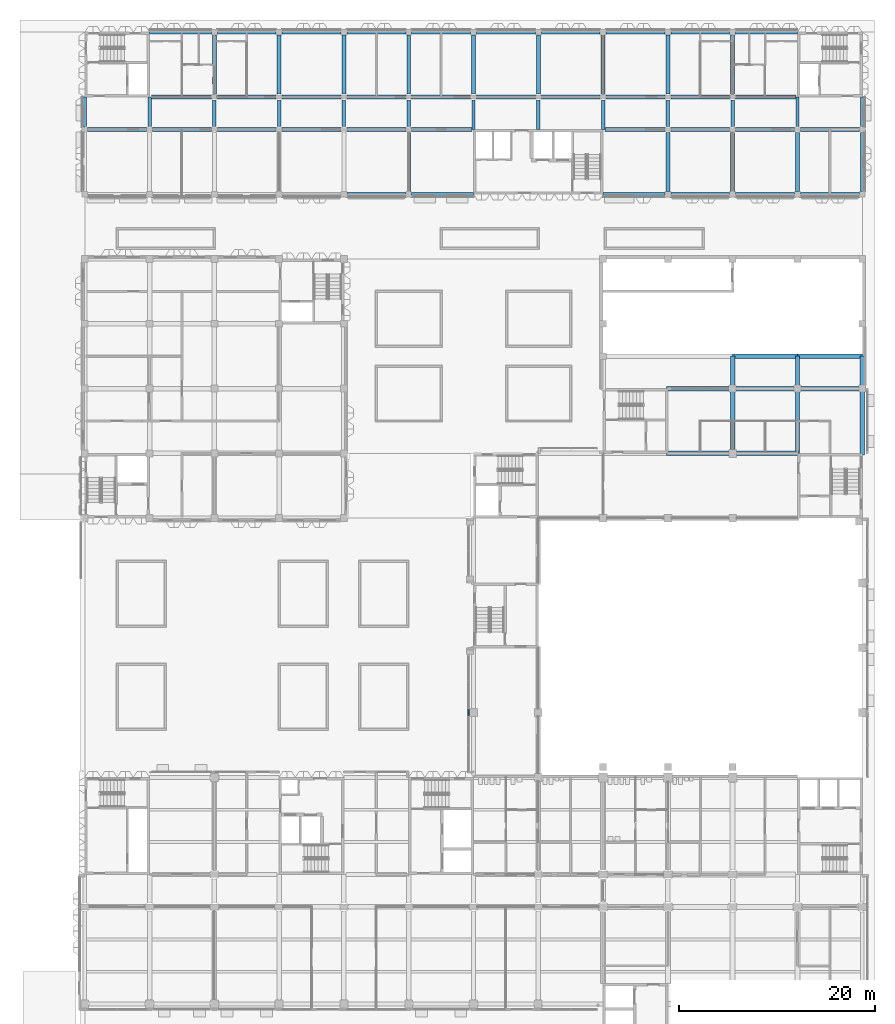
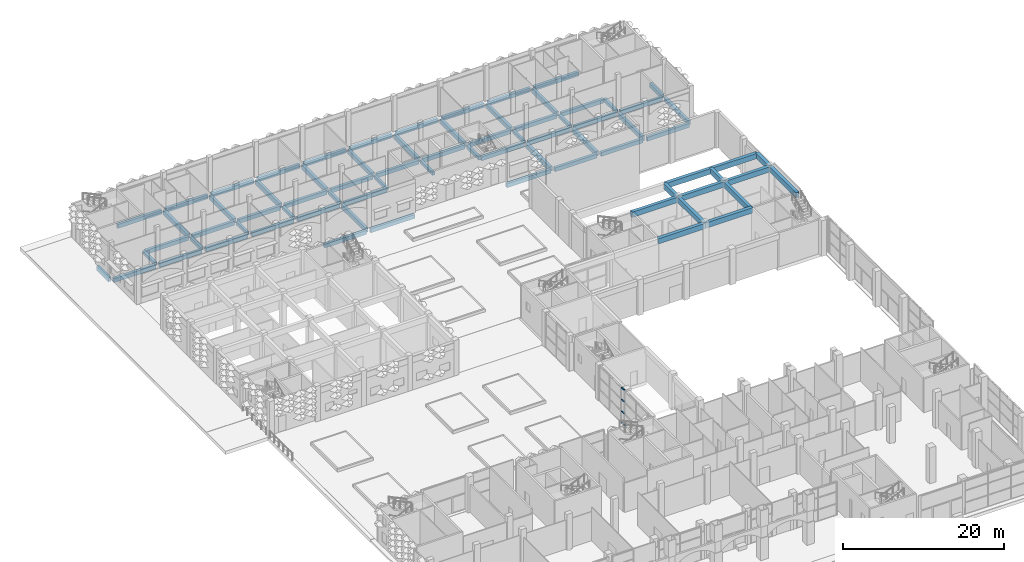
# One storey, part 15 of 85: 76 beams, 4 members, 1 element without a shape of its own.
"""IFC4 building model written with IfcOpenShell, lengths in metres."""

import ifcopenshell
import ifcopenshell.guid

model = None  # the IFC model being written
_history = None  # IfcOwnerHistory: only IFC2X3 demands one
_inside = {}  # id of a spatial element -> (the spatial element, [elements in it])
_under = {}  # id of a project, library or spatial element -> (it, [spatial elements below it])
_declared = {}  # id of a project -> (the project, [libraries it declares])
_typed = {}  # id of a type object -> (the type object, [elements of that type])
_made_of = {}  # id of a material, layer set ... -> (it, [elements and type objects made of it])


def new_model(schema):
    """Start an empty IFC model of exactly this schema.

    Asked for "IFC4X3", IfcOpenShell would pick the latest addendum, in which some entities
    have other attributes; the version numbers below select the first issue.
    IFC2X3 requires an IfcOwnerHistory on every rooted entity: one is made here for all.
    """
    global model, _history
    if schema == "IFC4X3":
        model = ifcopenshell.file(schema_version=(4, 3, 0, 0))
    else:
        model = ifcopenshell.file(schema=schema)
    _inside.clear()
    _under.clear()
    _declared.clear()
    _typed.clear()
    _made_of.clear()
    _history = None
    if model.schema == "IFC2X3":
        org = make("IfcOrganization", Name="unknown")
        user = make(
            "IfcPersonAndOrganization",
            ThePerson=make("IfcPerson", FamilyName="unknown"),
            TheOrganization=org,
        )
        app = make(
            "IfcApplication",
            ApplicationDeveloper=org,
            Version="unknown",
            ApplicationFullName="unknown",
            ApplicationIdentifier="unknown",
        )
        _history = make(
            "IfcOwnerHistory",
            OwningUser=user,
            OwningApplication=app,
            ChangeAction="ADDED",
            CreationDate=0,
        )
    return model


def make(cls, **values):
    """One entity of the class cls with the attributes given. An attribute that is None is left unset."""
    return model.create_entity(
        cls, **{name: value for name, value in values.items() if value is not None}
    )


def rooted(cls, **values):
    """An entity with a GlobalId (a new one), such as an element, a storey or a relation."""
    return make(cls, GlobalId=ifcopenshell.guid.new(), OwnerHistory=_history, **values)


def si_unit(unit_type, name, prefix=None):
    """IfcSIUnit, for example si_unit("LENGTHUNIT", "METRE", prefix="MILLI")."""
    return make("IfcSIUnit", UnitType=unit_type, Prefix=prefix, Name=name)


def assignment(units):
    """IfcUnitAssignment: the units of a project."""
    return None if units is None else make("IfcUnitAssignment", Units=units)


def point(xyz):
    """IfcCartesianPoint."""
    return None if xyz is None else make("IfcCartesianPoint", Coordinates=xyz)


def direction(xyz):
    """IfcDirection."""
    return None if xyz is None else make("IfcDirection", DirectionRatios=xyz)


def frame(location, z_axis=None, x_axis=None):
    """IfcAxis2Placement3D, a coordinate frame: its origin and axes. An axis left out is left unset."""
    return make(
        "IfcAxis2Placement3D",
        Location=point(location),
        Axis=direction(z_axis),
        RefDirection=direction(x_axis),
    )


def frame_2d(location, x_axis=None):
    """IfcAxis2Placement2D, a coordinate frame in the plane: its origin and x axis."""
    return make(
        "IfcAxis2Placement2D", Location=point(location), RefDirection=direction(x_axis)
    )


def origin():
    """The frame at (0, 0, 0) with its axes left unset."""
    return frame((0.0, 0.0, 0.0))


def origin_2d():
    """The frame at (0, 0) in the plane with its x axis left unset."""
    return frame_2d((0.0, 0.0))


def place(relative_to, where):
    """IfcLocalPlacement: puts the frame where relative to a parent placement (None: the world)."""
    return make(
        "IfcLocalPlacement", PlacementRelTo=relative_to, RelativePlacement=where
    )


def context(
    kind, dimensions, precision=None, world=None, true_north=None, identifier=None
):
    """IfcGeometricRepresentationContext, for example the 3D "Model" context."""
    return make(
        "IfcGeometricRepresentationContext",
        ContextIdentifier=identifier,
        ContextType=kind,
        CoordinateSpaceDimension=dimensions,
        Precision=precision,
        WorldCoordinateSystem=world,
        TrueNorth=true_north,
    )


def subcontext(parent, identifier, kind, view, scale=None):
    """IfcGeometricRepresentationSubContext, for example "Body" below "Model"."""
    return make(
        "IfcGeometricRepresentationSubContext",
        ContextIdentifier=identifier,
        ContextType=kind,
        ParentContext=parent,
        TargetScale=scale,
        TargetView=view,
    )


def project(units=None, contexts=None):
    """IfcProject with its units and contexts."""
    return rooted(
        "IfcProject",
        Name="project",
        RepresentationContexts=contexts,
        UnitsInContext=assignment(units),
    )


def spatial(cls, under=None, at=None, **own):
    """A site, building, storey or space (cls), placed at a placement, below another one or the project."""
    s = rooted(cls, ObjectPlacement=at, **own)
    if under is not None:
        _under.setdefault(under.id(), (under, []))[1].append(s)
    return s


def profile(cls, at=None, kind="AREA", **sizes):
    """A parametric profile (cls). Its sizes go by their IFC names, for example OverallWidth=200.0."""
    return make(cls, ProfileType=kind, Position=at, **sizes)


def rectangle(**sizes):
    """IfcRectangleProfileDef."""
    return profile("IfcRectangleProfileDef", **sizes)


def extrude(swept, where, along, depth):
    """IfcExtrudedAreaSolid: the profile swept, set in the frame where, extruded along a direction by depth."""
    return make(
        "IfcExtrudedAreaSolid",
        SweptArea=swept,
        Position=where,
        ExtrudedDirection=direction(along),
        Depth=depth,
    )


def shape(context_of_items, identifier, shape_type, items):
    """IfcShapeRepresentation: the items that make up one representation, for example the "Body"."""
    return make(
        "IfcShapeRepresentation",
        ContextOfItems=context_of_items,
        RepresentationIdentifier=identifier,
        RepresentationType=shape_type,
        Items=items,
    )


def material(Name=None, Category=None):
    """IfcMaterial."""
    return make("IfcMaterial", Name=Name, Category=Category)


def material_profile(
    of_material, cross_section, Name=None, Category=None, Priority=None
):
    """IfcMaterialProfile: a cross section and its material."""
    return make(
        "IfcMaterialProfile",
        Name=Name,
        Material=of_material,
        Profile=cross_section,
        Priority=Priority,
        Category=Category,
    )


def profile_set(profiles, Name=None, composite=None):
    """IfcMaterialProfileSet."""
    return make(
        "IfcMaterialProfileSet",
        Name=Name,
        MaterialProfiles=profiles,
        CompositeProfile=composite,
    )


def made_of(thing, what):
    """Note that an element or type object is made of a material, layer set ...; save() writes the relation."""
    if what is not None:
        _made_of.setdefault(what.id(), (what, []))[1].append(thing)
    return thing


def type_object(cls, material=None, **own):
    """A type object (cls), such as IfcWallType, which elements share."""
    return made_of(rooted(cls, **own), material)


def element(
    cls,
    number,
    at=None,
    inside=None,
    cuts=None,
    type_object=None,
    material=None,
    context=None,
    identifier="Body",
    shape_type=None,
    held_by="IfcProductDefinitionShape",
    body=None,
    shapes=None,
    **own,
):
    """One element of the class cls, such as IfcWall. Its Tag is "e" and its number.

    at: its placement. inside: the storey or other place that contains it. cuts: it is an
    opening in that element (IfcRelVoidsElement). A single representation is given by context,
    identifier, shape_type and body (its items); several are given by shapes. held_by: the class
    of the entity that holds the representations. save() writes the other relations.
    """
    e = rooted(cls, Tag="e%d" % number, ObjectPlacement=at, **own)
    if body is not None:
        shapes = [shape(context, identifier, shape_type, body)]
    if shapes is not None:
        e.Representation = make(held_by, Representations=shapes)
    if inside is not None:
        _inside.setdefault(inside.id(), (inside, []))[1].append(e)
    if cuts is not None:
        rooted(
            "IfcRelVoidsElement", RelatingBuildingElement=cuts, RelatedOpeningElement=e
        )
    if type_object is not None:
        _typed.setdefault(type_object.id(), (type_object, []))[1].append(e)
    return made_of(e, material)


def aggregate(whole, parts):
    """IfcRelAggregates: a whole, such as a stair, and the parts it consists of."""
    return rooted("IfcRelAggregates", RelatingObject=whole, RelatedObjects=parts)


def save(model, path):
    """Write the relations noted so far, then the file.

    IfcRelAggregates (storeys below a building ...), IfcRelContainedInSpatialStructure (elements
    in a storey), IfcRelDefinesByType, IfcRelAssociatesMaterial and IfcRelDeclares: one each for
    every whole, place, type object, material and project.
    """
    for whole, parts in _under.values():
        aggregate(whole, parts)
    for where, things in _inside.values():
        rooted(
            "IfcRelContainedInSpatialStructure",
            RelatedElements=things,
            RelatingStructure=where,
        )
    for kind, things in _typed.values():
        rooted("IfcRelDefinesByType", RelatedObjects=things, RelatingType=kind)
    for what, things in _made_of.values():
        rooted("IfcRelAssociatesMaterial", RelatedObjects=things, RelatingMaterial=what)
    for by, libraries in _declared.values():
        rooted("IfcRelDeclares", RelatingContext=by, RelatedDefinitions=libraries)
    model.write(path)


model = new_model("IFC4")

# Units and contexts
model_context = context("Model", 3, precision=1e-05, world=origin(), true_north=direction((0.0, 1.0)))
body_context = subcontext(model_context, "Body", "Model", "MODEL_VIEW")
ifc_project = project(units=[si_unit("LENGTHUNIT", "METRE"), si_unit("AREAUNIT", "SQUARE_METRE"), si_unit("VOLUMEUNIT", "CUBIC_METRE"), si_unit("PLANEANGLEUNIT", "RADIAN"), si_unit("MASSUNIT", "GRAM", prefix="KILO")], contexts=[model_context])

# Site, building, storey
site_placement = place(None, origin())
site = spatial("IfcSite", under=ifc_project, at=site_placement, CompositionType="ELEMENT")
building_placement = place(site_placement, origin())
building = spatial("IfcBuilding", under=site, at=building_placement, Name="Lantern Court Research Institute", CompositionType="ELEMENT")
storey_placement = place(building_placement, origin())
storey = spatial("IfcBuildingStorey", under=building, at=storey_placement, Name="L00", CompositionType="ELEMENT", Elevation=0.0)

# Beams
ifc_material_1 = material(Name="Concrete C40/50", Category="concrete")
ifc_material_profile_1 = material_profile(ifc_material_1, rectangle(XDim=0.449951171875, YDim=0.800048828125, at=origin_2d()), Name="Hall beam 450 x 800")
ifc_profile_set_1 = profile_set([ifc_material_profile_1], Name="Concrete C40/50")
beam_type_1 = type_object("IfcBeamType", Name="Hall beam 450 x 800", PredefinedType="BEAM", material=ifc_profile_set_1)
for number, where, z_axis, x_axis, name in (
    (1, (59.25, 56.10009765625, 4.75), (1.0, 0.0, 0.0), (0.0, 1.0, 0.0), "Gallery beam L01"),
    (2, (66.0, 56.10009765625, 4.75), (1.0, 0.0, 0.0), (0.0, 1.0, 0.0), "Gallery beam L01"),
):
    element("IfcBeam", number, at=place(storey_placement, frame(where, z_axis=z_axis, x_axis=x_axis)), inside=storey, type_object=beam_type_1, Name=name, PredefinedType="BEAM", context=body_context, shape_type="SweptSolid", body=[
        extrude(rectangle(XDim=0.449951171875, YDim=0.800048828125, at=origin_2d()), origin(), (0.0, 0.0, 1.0), 6.75),
    ])
beam_1_placement = place(storey_placement, frame((66.0, 56.10009765625, 4.75), z_axis=(0.0, 1.0, 0.0), x_axis=(-1.0, 0.0, 0.0)))
element("IfcBeam", 3, at=beam_1_placement, inside=storey, type_object=beam_type_1, Name="Floor beam L01", PredefinedType="BEAM", context=body_context, shape_type="SweptSolid", body=[
    extrude(rectangle(XDim=0.449951171875, YDim=0.800048828125, at=origin_2d()), origin(), (0.0, 0.0, 1.0), 6.599853515625),
])
beam_2_placement = place(storey_placement, frame((66.0, 62.699951171875, 4.75), z_axis=(0.0, 1.0, 0.0), x_axis=(-1.0, 0.0, 0.0)))
element("IfcBeam", 4, at=beam_2_placement, inside=storey, type_object=beam_type_1, Name="Cantilever beam L01", PredefinedType="BEAM", context=body_context, shape_type="SweptSolid", body=[
    extrude(rectangle(XDim=0.449951171875, YDim=0.800048828125, at=origin_2d()), origin(), (0.0, 0.0, 1.0), 3.300048828125),
])
beam_3_placement = place(storey_placement, frame((72.60009765625, 55.949951171875, 4.75), z_axis=(0.0, 1.0, 0.0), x_axis=(-1.0, 0.0, 0.0)))
element("IfcBeam", 5, at=beam_3_placement, inside=storey, type_object=beam_type_1, Name="Floor beam L01", PredefinedType="BEAM", context=body_context, shape_type="SweptSolid", body=[
    extrude(rectangle(XDim=0.449951171875, YDim=0.800048828125, at=origin_2d()), origin(), (0.0, 0.0, 1.0), 6.75),
])
beam_4_placement = place(storey_placement, frame((72.60009765625, 62.699951171875, 4.75), z_axis=(0.0, 1.0, 0.0), x_axis=(-1.0, 0.0, 0.0)))
element("IfcBeam", 6, at=beam_4_placement, inside=storey, type_object=beam_type_1, Name="Cantilever beam L01", PredefinedType="BEAM", context=body_context, shape_type="SweptSolid", body=[
    extrude(rectangle(XDim=0.449951171875, YDim=0.800048828125, at=origin_2d()), origin(), (0.0, 0.0, 1.0), 3.300048828125),
])
beam_5_placement = place(storey_placement, frame((79.199951171875, 55.949951171875, 4.75), z_axis=(0.0, 1.0, 0.0), x_axis=(-1.0, 0.0, 0.0)))
element("IfcBeam", 7, at=beam_5_placement, inside=storey, type_object=beam_type_1, Name="Floor beam L01", PredefinedType="BEAM", context=body_context, shape_type="SweptSolid", body=[
    extrude(rectangle(XDim=0.449951171875, YDim=0.800048828125, at=origin_2d()), origin(), (0.0, 0.0, 1.0), 6.75),
])
beam_6_placement = place(storey_placement, frame((79.199951171875, 62.699951171875, 4.75), z_axis=(0.0, 1.0, 0.0), x_axis=(-1.0, 0.0, 0.0)))
element("IfcBeam", 8, at=beam_6_placement, inside=storey, type_object=beam_type_1, Name="Cantilever beam L01", PredefinedType="BEAM", context=body_context, shape_type="SweptSolid", body=[
    extrude(rectangle(XDim=0.449951171875, YDim=0.800048828125, at=origin_2d()), origin(), (0.0, 0.0, 1.0), 3.300048828125),
])
beam_7_placement = place(storey_placement, frame((59.25, 62.699951171875, 4.75), z_axis=(1.0, 0.0, 0.0), x_axis=(0.0, 1.0, 0.0)))
element("IfcBeam", 9, at=beam_7_placement, inside=storey, type_object=beam_type_1, Name="Floor beam L01", PredefinedType="BEAM", context=body_context, shape_type="SweptSolid", body=[
    extrude(rectangle(XDim=0.449951171875, YDim=0.800048828125, at=origin_2d()), origin(), (0.0, 0.0, 1.0), 6.75),
])
beam_8_placement = place(storey_placement, frame((66.0, 62.699951171875, 4.75), z_axis=(1.0, 0.0, 0.0), x_axis=(0.0, 1.0, 0.0)))
element("IfcBeam", 10, at=beam_8_placement, inside=storey, type_object=beam_type_1, Name="Floor beam L01", PredefinedType="BEAM", context=body_context, shape_type="SweptSolid", body=[
    extrude(rectangle(XDim=0.449951171875, YDim=0.800048828125, at=origin_2d()), origin(), (0.0, 0.0, 1.0), 6.60009765625),
])
beam_9_placement = place(storey_placement, frame((72.60009765625, 62.699951171875, 4.75), z_axis=(1.0, 0.0, 0.0), x_axis=(0.0, 1.0, 0.0)))
element("IfcBeam", 11, at=beam_9_placement, inside=storey, type_object=beam_type_1, Name="Floor beam L01", PredefinedType="BEAM", context=body_context, shape_type="SweptSolid", body=[
    extrude(rectangle(XDim=0.449951171875, YDim=0.800048828125, at=origin_2d()), origin(), (0.0, 0.0, 1.0), 6.599853515625),
])
beam_10_placement = place(storey_placement, frame((66.0, 66.0, 4.75), z_axis=(1.0, 0.0, 0.0), x_axis=(0.0, 1.0, 0.0)))
element("IfcBeam", 12, at=beam_10_placement, inside=storey, type_object=beam_type_1, Name="Edge beam L01", PredefinedType="BEAM", context=body_context, shape_type="SweptSolid", body=[
    extrude(rectangle(XDim=0.449951171875, YDim=0.800048828125, at=origin_2d()), origin(), (0.0, 0.0, 1.0), 6.60009765625),
])
beam_11_placement = place(storey_placement, frame((72.60009765625, 66.0, 4.75), z_axis=(1.0, 0.0, 0.0), x_axis=(0.0, 1.0, 0.0)))
element("IfcBeam", 13, at=beam_11_placement, inside=storey, type_object=beam_type_1, Name="Edge beam L01", PredefinedType="BEAM", context=body_context, shape_type="SweptSolid", body=[
    extrude(rectangle(XDim=0.449951171875, YDim=0.800048828125, at=origin_2d()), origin(), (0.0, 0.0, 1.0), 6.599853515625),
])
ifc_material_2 = material(Name="Concrete C40/50", Category="concrete")
ifc_material_profile_2 = material_profile(ifc_material_2, rectangle(XDim=0.39990234375, YDim=0.60009765625, at=origin_2d()), Name="RC beam 400 x 600")
ifc_profile_set_2 = profile_set([ifc_material_profile_2], Name="Concrete C40/50")
beam_type_2 = type_object("IfcBeamType", Name="RC beam 400 x 600", PredefinedType="BEAM", material=ifc_profile_set_2)
for number, where, z_axis, x_axis, name in (
    (14, (0.300048828125, 89.10009765625, -0.60009765625), (1.0, 0.0, 0.0), (0.0, 1.0, 0.0), "Beam L00 grid K/1-2"),
    (15, (6.89990234375, 89.10009765625, -0.60009765625), (1.0, 0.0, 0.0), (0.0, 1.0, 0.0), "Beam L00 grid K/2-3"),
    (16, (13.5, 89.10009765625, -0.60009765625), (1.0, 0.0, 0.0), (0.0, 1.0, 0.0), "Beam L00 grid K/3-4"),
    (17, (20.10009765625, 89.10009765625, -0.60009765625), (1.0, 0.0, 0.0), (0.0, 1.0, 0.0), "Beam L00 grid K/4-5"),
    (18, (26.699951171875, 89.10009765625, -0.60009765625), (1.0, 0.0, 0.0), (0.0, 1.0, 0.0), "Beam L00 grid K/5-6"),
):
    element("IfcBeam", number, at=place(storey_placement, frame(where, z_axis=z_axis, x_axis=x_axis)), inside=storey, type_object=beam_type_2, Name=name, PredefinedType="BEAM", context=body_context, shape_type="SweptSolid", body=[
        extrude(rectangle(XDim=0.39990234375, YDim=0.60009765625, at=origin_2d()), origin(), (0.0, 0.0, 1.0), 6.0),
    ])
for number, where, z_axis, x_axis, name in (
    (19, (33.300048828125, 89.10009765625, -0.60009765625), (1.0, 0.0, 0.0), (0.0, 1.0, 0.0), "Beam L00 grid K/6-7"),
    (20, (52.97509765625, 89.10009765625, -0.60009765625), (1.0, 0.0, 0.0), (0.0, 1.0, 0.0), "Beam L00 grid K/9-10"),
):
    element("IfcBeam", number, at=place(storey_placement, frame(where, z_axis=z_axis, x_axis=x_axis)), inside=storey, type_object=beam_type_2, Name=name, PredefinedType="BEAM", context=body_context, shape_type="SweptSolid", body=[
        extrude(rectangle(XDim=0.39990234375, YDim=0.60009765625, at=origin_2d()), origin(), (0.0, 0.0, 1.0), 6.125),
    ])
for number, where, z_axis, x_axis, name in (
    (21, (59.699951171875, 89.10009765625, -0.60009765625), (1.0, 0.0, 0.0), (0.0, 1.0, 0.0), "Beam L00 grid K/10-11"),
    (22, (66.300048828125, 89.10009765625, -0.60009765625), (1.0, 0.0, 0.0), (0.0, 1.0, 0.0), "Beam L00 grid K/11-12"),
    (23, (72.89990234375, 89.10009765625, -0.60009765625), (1.0, 0.0, 0.0), (0.0, 1.0, 0.0), "Beam L00 grid K/12-13"),
):
    element("IfcBeam", number, at=place(storey_placement, frame(where, z_axis=z_axis, x_axis=x_axis)), inside=storey, type_object=beam_type_2, Name=name, PredefinedType="BEAM", context=body_context, shape_type="SweptSolid", body=[
        extrude(rectangle(XDim=0.39990234375, YDim=0.60009765625, at=origin_2d()), origin(), (0.0, 0.0, 1.0), 6.0),
    ])
beam_12_placement = place(storey_placement, frame((6.77490234375, 92.39990234375, -0.60009765625), z_axis=(1.0, 0.0, 0.0), x_axis=(0.0, 1.0, 0.0)))
element("IfcBeam", 24, at=beam_12_placement, inside=storey, type_object=beam_type_2, Name="Beam L00 grid L/2-3", PredefinedType="BEAM", context=body_context, shape_type="SweptSolid", body=[
    extrude(rectangle(XDim=0.39990234375, YDim=0.60009765625, at=origin_2d()), origin(), (0.0, 0.0, 1.0), 6.125),
])
for number, where, z_axis, x_axis, name in (
    (25, (13.5, 92.39990234375, -0.60009765625), (1.0, 0.0, 0.0), (0.0, 1.0, 0.0), "Beam L00 grid L/3-4"),
    (26, (20.10009765625, 92.39990234375, -0.60009765625), (1.0, 0.0, 0.0), (0.0, 1.0, 0.0), "Beam L00 grid L/4-5"),
    (27, (26.699951171875, 92.39990234375, -0.60009765625), (1.0, 0.0, 0.0), (0.0, 1.0, 0.0), "Beam L00 grid L/5-6"),
    (28, (33.300048828125, 92.39990234375, -0.60009765625), (1.0, 0.0, 0.0), (0.0, 1.0, 0.0), "Beam L00 grid L/6-7"),
    (29, (39.89990234375, 92.39990234375, -0.60009765625), (1.0, 0.0, 0.0), (0.0, 1.0, 0.0), "Beam L00 grid L/7-8"),
    (30, (46.5, 92.39990234375, -0.60009765625), (1.0, 0.0, 0.0), (0.0, 1.0, 0.0), "Beam L00 grid L/8-9"),
    (31, (53.10009765625, 92.39990234375, -0.60009765625), (1.0, 0.0, 0.0), (0.0, 1.0, 0.0), "Beam L00 grid L/9-10"),
    (32, (59.699951171875, 92.39990234375, -0.60009765625), (1.0, 0.0, 0.0), (0.0, 1.0, 0.0), "Beam L00 grid L/10-11"),
):
    element("IfcBeam", number, at=place(storey_placement, frame(where, z_axis=z_axis, x_axis=x_axis)), inside=storey, type_object=beam_type_2, Name=name, PredefinedType="BEAM", context=body_context, shape_type="SweptSolid", body=[
        extrude(rectangle(XDim=0.39990234375, YDim=0.60009765625, at=origin_2d()), origin(), (0.0, 0.0, 1.0), 6.0),
    ])
beam_13_placement = place(storey_placement, frame((66.300048828125, 92.39990234375, -0.60009765625), z_axis=(1.0, 0.0, 0.0), x_axis=(0.0, 1.0, 0.0)))
element("IfcBeam", 33, at=beam_13_placement, inside=storey, type_object=beam_type_2, Name="Beam L00 grid L/11-12", PredefinedType="BEAM", context=body_context, shape_type="SweptSolid", body=[
    extrude(rectangle(XDim=0.39990234375, YDim=0.60009765625, at=origin_2d()), origin(), (0.0, 0.0, 1.0), 6.125),
])
ifc_material_3 = material(Name="Concrete C40/50", Category="concrete")
ifc_material_profile_3 = material_profile(ifc_material_3, rectangle(XDim=0.39990234375, YDim=0.699951171875, at=origin_2d()), Name="RC beam 400 x 700")
ifc_profile_set_3 = profile_set([ifc_material_profile_3], Name="Concrete C40/50")
beam_type_3 = type_object("IfcBeamType", Name="RC beam 400 x 700", PredefinedType="BEAM", material=ifc_profile_set_3)
for number, where, z_axis, x_axis, name in (
    (34, (13.199951171875, 92.699951171875, -0.64990234375), (0.0, 1.0, 0.0), (-1.0, 0.0, 0.0), "Beam L00 grid 3/L-M"),
    (35, (19.800048828125, 92.699951171875, -0.64990234375), (0.0, 1.0, 0.0), (-1.0, 0.0, 0.0), "Beam L00 grid 4/L-M"),
    (36, (26.39990234375, 92.699951171875, -0.64990234375), (0.0, 1.0, 0.0), (-1.0, 0.0, 0.0), "Beam L00 grid 5/L-M"),
    (37, (33.0, 82.800048828125, -0.64990234375), (0.0, 1.0, 0.0), (-1.0, 0.0, 0.0), "Beam L00 grid 6/J-K"),
    (38, (33.0, 92.699951171875, -0.64990234375), (0.0, 1.0, 0.0), (-1.0, 0.0, 0.0), "Beam L00 grid 6/L-M"),
    (39, (39.60009765625, 92.699951171875, -0.64990234375), (0.0, 1.0, 0.0), (-1.0, 0.0, 0.0), "Beam L00 grid 7/L-M"),
    (40, (46.199951171875, 92.699951171875, -0.64990234375), (0.0, 1.0, 0.0), (-1.0, 0.0, 0.0), "Beam L00 grid 8/L-M"),
    (41, (52.800048828125, 92.699951171875, -0.64990234375), (0.0, 1.0, 0.0), (-1.0, 0.0, 0.0), "Beam L00 grid 9/L-M"),
    (42, (59.39990234375, 82.800048828125, -0.64990234375), (0.0, 1.0, 0.0), (-1.0, 0.0, 0.0), "Beam L00 grid 10/J-K"),
    (43, (59.39990234375, 92.699951171875, -0.64990234375), (0.0, 1.0, 0.0), (-1.0, 0.0, 0.0), "Beam L00 grid 10/L-M"),
    (44, (66.0, 82.800048828125, -0.64990234375), (0.0, 1.0, 0.0), (-1.0, 0.0, 0.0), "Beam L00 grid 11/J-K"),
    (45, (66.0, 92.699951171875, -0.64990234375), (0.0, 1.0, 0.0), (-1.0, 0.0, 0.0), "Beam L00 grid 11/L-M"),
    (46, (72.60009765625, 82.800048828125, -0.64990234375), (0.0, 1.0, 0.0), (-1.0, 0.0, 0.0), "Beam L00 grid 12/J-K"),
):
    element("IfcBeam", number, at=place(storey_placement, frame(where, z_axis=z_axis, x_axis=x_axis)), inside=storey, type_object=beam_type_3, Name=name, PredefinedType="BEAM", context=body_context, shape_type="SweptSolid", body=[
        extrude(rectangle(XDim=0.39990234375, YDim=0.699951171875, at=origin_2d()), origin(), (0.0, 0.0, 1.0), 6.0),
    ])
ifc_material_4 = material(Name="Concrete C40/50", Category="concrete")
ifc_material_profile_4 = material_profile(ifc_material_4, rectangle(XDim=0.39990234375, YDim=0.60009765625, at=origin_2d()), Name="RC beam 400 x 600")
ifc_profile_set_4 = profile_set([ifc_material_profile_4], Name="Concrete C40/50")
beam_type_4 = type_object("IfcBeamType", Name="RC edge beam 400 x 600", PredefinedType="BEAM", material=ifc_profile_set_4)
beam_14_placement = place(storey_placement, frame((0.0, 89.39990234375, -0.60009765625), z_axis=(0.0, 1.0, 0.0), x_axis=(-1.0, 0.0, 0.0)))
element("IfcBeam", 47, at=beam_14_placement, inside=storey, type_object=beam_type_4, Name="Edge beam L00 grid 1/K-L", PredefinedType="BEAM", context=body_context, shape_type="SweptSolid", body=[
    extrude(rectangle(XDim=0.39990234375, YDim=0.60009765625, at=origin_2d()), origin(), (0.0, 0.0, 1.0), 3.0),
])
beam_15_placement = place(storey_placement, frame((79.199951171875, 82.800048828125, -0.60009765625), z_axis=(0.0, 1.0, 0.0), x_axis=(-1.0, 0.0, 0.0)))
element("IfcBeam", 48, at=beam_15_placement, inside=storey, type_object=beam_type_4, Name="Edge beam L00 grid 13/J-K", PredefinedType="BEAM", context=body_context, shape_type="SweptSolid", body=[
    extrude(rectangle(XDim=0.39990234375, YDim=0.60009765625, at=origin_2d()), origin(), (0.0, 0.0, 1.0), 6.0),
])
beam_16_placement = place(storey_placement, frame((79.199951171875, 89.39990234375, -0.60009765625), z_axis=(0.0, 1.0, 0.0), x_axis=(-1.0, 0.0, 0.0)))
element("IfcBeam", 49, at=beam_16_placement, inside=storey, type_object=beam_type_4, Name="Edge beam L00 grid 13/K-L", PredefinedType="BEAM", context=body_context, shape_type="SweptSolid", body=[
    extrude(rectangle(XDim=0.39990234375, YDim=0.60009765625, at=origin_2d()), origin(), (0.0, 0.0, 1.0), 3.0),
])
beam_17_placement = place(storey_placement, frame((26.699951171875, 82.5, -0.60009765625), z_axis=(1.0, 0.0, 0.0), x_axis=(0.0, 1.0, 0.0)))
element("IfcBeam", 50, at=beam_17_placement, inside=storey, type_object=beam_type_4, Name="Edge beam L00 grid J/5-6", PredefinedType="BEAM", context=body_context, shape_type="SweptSolid", body=[
    extrude(rectangle(XDim=0.39990234375, YDim=0.60009765625, at=origin_2d()), origin(), (0.0, 0.0, 1.0), 6.0),
])
for number, where, z_axis, x_axis, name in (
    (51, (33.300048828125, 82.5, -0.60009765625), (1.0, 0.0, 0.0), (0.0, 1.0, 0.0), "Edge beam L00 grid J/6-7"),
    (52, (52.800048828125, 82.5, -0.60009765625), (1.0, 0.0, 0.0), (0.0, 1.0, 0.0), "Edge beam L00 grid J/9-10"),
):
    element("IfcBeam", number, at=place(storey_placement, frame(where, z_axis=z_axis, x_axis=x_axis)), inside=storey, type_object=beam_type_4, Name=name, PredefinedType="BEAM", context=body_context, shape_type="SweptSolid", body=[
        extrude(rectangle(XDim=0.39990234375, YDim=0.60009765625, at=origin_2d()), origin(), (0.0, 0.0, 1.0), 6.300048828125),
    ])
for number, where, z_axis, x_axis, name in (
    (53, (59.699951171875, 82.5, -0.60009765625), (1.0, 0.0, 0.0), (0.0, 1.0, 0.0), "Edge beam L00 grid J/10-11"),
    (54, (66.300048828125, 82.5, -0.60009765625), (1.0, 0.0, 0.0), (0.0, 1.0, 0.0), "Edge beam L00 grid J/11-12"),
    (55, (72.89990234375, 82.5, -0.60009765625), (1.0, 0.0, 0.0), (0.0, 1.0, 0.0), "Edge beam L00 grid J/12-13"),
):
    element("IfcBeam", number, at=place(storey_placement, frame(where, z_axis=z_axis, x_axis=x_axis)), inside=storey, type_object=beam_type_4, Name=name, PredefinedType="BEAM", context=body_context, shape_type="SweptSolid", body=[
        extrude(rectangle(XDim=0.39990234375, YDim=0.60009765625, at=origin_2d()), origin(), (0.0, 0.0, 1.0), 6.0),
    ])
beam_18_placement = place(storey_placement, frame((6.60009765625, 99.0, -0.60009765625), z_axis=(1.0, 0.0, 0.0), x_axis=(0.0, 1.0, 0.0)))
element("IfcBeam", 56, at=beam_18_placement, inside=storey, type_object=beam_type_4, Name="Edge beam L00 grid M/2-3", PredefinedType="BEAM", context=body_context, shape_type="SweptSolid", body=[
    extrude(rectangle(XDim=0.39990234375, YDim=0.60009765625, at=origin_2d()), origin(), (0.0, 0.0, 1.0), 6.2998046875),
])
for number, where, z_axis, x_axis, name in (
    (57, (13.5, 99.0, -0.60009765625), (1.0, 0.0, 0.0), (0.0, 1.0, 0.0), "Edge beam L00 grid M/3-4"),
    (58, (20.10009765625, 99.0, -0.60009765625), (1.0, 0.0, 0.0), (0.0, 1.0, 0.0), "Edge beam L00 grid M/4-5"),
    (59, (26.699951171875, 99.0, -0.60009765625), (1.0, 0.0, 0.0), (0.0, 1.0, 0.0), "Edge beam L00 grid M/5-6"),
    (60, (33.300048828125, 99.0, -0.60009765625), (1.0, 0.0, 0.0), (0.0, 1.0, 0.0), "Edge beam L00 grid M/6-7"),
    (61, (39.89990234375, 99.0, -0.60009765625), (1.0, 0.0, 0.0), (0.0, 1.0, 0.0), "Edge beam L00 grid M/7-8"),
    (62, (46.5, 99.0, -0.60009765625), (1.0, 0.0, 0.0), (0.0, 1.0, 0.0), "Edge beam L00 grid M/8-9"),
    (63, (53.10009765625, 99.0, -0.60009765625), (1.0, 0.0, 0.0), (0.0, 1.0, 0.0), "Edge beam L00 grid M/9-10"),
    (64, (59.699951171875, 99.0, -0.60009765625), (1.0, 0.0, 0.0), (0.0, 1.0, 0.0), "Edge beam L00 grid M/10-11"),
):
    element("IfcBeam", number, at=place(storey_placement, frame(where, z_axis=z_axis, x_axis=x_axis)), inside=storey, type_object=beam_type_4, Name=name, PredefinedType="BEAM", context=body_context, shape_type="SweptSolid", body=[
        extrude(rectangle(XDim=0.39990234375, YDim=0.60009765625, at=origin_2d()), origin(), (0.0, 0.0, 1.0), 6.0),
    ])
beam_19_placement = place(storey_placement, frame((66.300048828125, 99.0, -0.60009765625), z_axis=(1.0, 0.0, 0.0), x_axis=(0.0, 1.0, 0.0)))
element("IfcBeam", 65, at=beam_19_placement, inside=storey, type_object=beam_type_4, Name="Edge beam L00 grid M/11-12", PredefinedType="BEAM", context=body_context, shape_type="SweptSolid", body=[
    extrude(rectangle(XDim=0.39990234375, YDim=0.60009765625, at=origin_2d()), origin(), (0.0, 0.0, 1.0), 6.300048828125),
])
ifc_material_5 = material(Name="Concrete C40/50", Category="concrete")
ifc_material_profile_5 = material_profile(ifc_material_5, rectangle(XDim=0.35009765625, YDim=0.5, at=origin_2d()), Name="RC beam 350 x 500")
ifc_profile_set_5 = profile_set([ifc_material_profile_5], Name="Concrete C40/50")
beam_type_5 = type_object("IfcBeamType", Name="RC spine beam 350 x 500", PredefinedType="BEAM", material=ifc_profile_set_5)
beam_20_placement = place(storey_placement, frame((6.60009765625, 89.39990234375, -0.550048828125), z_axis=(0.0, 1.0, 0.0), x_axis=(-1.0, 0.0, 0.0)))
element("IfcBeam", 66, at=beam_20_placement, inside=storey, type_object=beam_type_5, Name="Beam L00 grid 2/K-L", PredefinedType="BEAM", context=body_context, shape_type="SweptSolid", body=[
    extrude(rectangle(XDim=0.35009765625, YDim=0.5, at=origin_2d()), origin(), (0.0, 0.0, 1.0), 3.0),
])
for number, where, z_axis, x_axis, name in (
    (67, (13.199951171875, 89.39990234375, -0.550048828125), (0.0, 1.0, 0.0), (-1.0, 0.0, 0.0), "Beam L00 grid 3/K-L"),
    (68, (19.800048828125, 89.39990234375, -0.550048828125), (0.0, 1.0, 0.0), (-1.0, 0.0, 0.0), "Beam L00 grid 4/K-L"),
    (69, (26.39990234375, 89.39990234375, -0.550048828125), (0.0, 1.0, 0.0), (-1.0, 0.0, 0.0), "Beam L00 grid 5/K-L"),
    (70, (33.0, 89.39990234375, -0.550048828125), (0.0, 1.0, 0.0), (-1.0, 0.0, 0.0), "Beam L00 grid 6/K-L"),
):
    element("IfcBeam", number, at=place(storey_placement, frame(where, z_axis=z_axis, x_axis=x_axis)), inside=storey, type_object=beam_type_5, Name=name, PredefinedType="BEAM", context=body_context, shape_type="SweptSolid", body=[
        extrude(rectangle(XDim=0.35009765625, YDim=0.5, at=origin_2d()), origin(), (0.0, 0.0, 1.0), 2.7001953125),
    ])
for number, where, z_axis, x_axis, name in (
    (71, (39.60009765625, 89.10009765625, -0.550048828125), (0.0, 1.0, 0.0), (-1.0, 0.0, 0.0), "Beam L00 grid 7/K-L"),
    (72, (46.199951171875, 89.10009765625, -0.550048828125), (0.0, 1.0, 0.0), (-1.0, 0.0, 0.0), "Beam L00 grid 8/K-L"),
    (73, (52.800048828125, 89.10009765625, -0.550048828125), (0.0, 1.0, 0.0), (-1.0, 0.0, 0.0), "Beam L00 grid 9/K-L"),
):
    element("IfcBeam", number, at=place(storey_placement, frame(where, z_axis=z_axis, x_axis=x_axis)), inside=storey, type_object=beam_type_5, Name=name, PredefinedType="BEAM", context=body_context, shape_type="SweptSolid", body=[
        extrude(rectangle(XDim=0.35009765625, YDim=0.5, at=origin_2d()), origin(), (0.0, 0.0, 1.0), 3.0),
    ])
for number, where, z_axis, x_axis, name in (
    (74, (59.39990234375, 89.39990234375, -0.550048828125), (0.0, 1.0, 0.0), (-1.0, 0.0, 0.0), "Beam L00 grid 10/K-L"),
    (75, (66.0, 89.39990234375, -0.550048828125), (0.0, 1.0, 0.0), (-1.0, 0.0, 0.0), "Beam L00 grid 11/K-L"),
):
    element("IfcBeam", number, at=place(storey_placement, frame(where, z_axis=z_axis, x_axis=x_axis)), inside=storey, type_object=beam_type_5, Name=name, PredefinedType="BEAM", context=body_context, shape_type="SweptSolid", body=[
        extrude(rectangle(XDim=0.35009765625, YDim=0.5, at=origin_2d()), origin(), (0.0, 0.0, 1.0), 2.7001953125),
    ])
beam_21_placement = place(storey_placement, frame((72.60009765625, 89.39990234375, -0.550048828125), z_axis=(0.0, 1.0, 0.0), x_axis=(-1.0, 0.0, 0.0)))
element("IfcBeam", 76, at=beam_21_placement, inside=storey, type_object=beam_type_5, Name="Beam L00 grid 12/K-L", PredefinedType="BEAM", context=body_context, shape_type="SweptSolid", body=[
    extrude(rectangle(XDim=0.35009765625, YDim=0.5, at=origin_2d()), origin(), (0.0, 0.0, 1.0), 3.0),
])

# Curtain wall, members
ifc_material_6 = material(Name="Aluminium alloy 6063-T6", Category="aluminium")
curtain_wall_type = type_object("IfcCurtainWallType", Name="Curtain wall 12050 x 5400 x 150 aluminium frame", PredefinedType="NOTDEFINED", material=ifc_material_6)
curtain_wall_placement = place(storey_placement, origin())
curtain_wall = element("IfcCurtainWall", 77, at=curtain_wall_placement, inside=storey, type_object=curtain_wall_type, Name="Curtain wall CW004", PredefinedType="NOTDEFINED")
ifc_material_7 = material(Name="Aluminium alloy 6063-T6", Category="aluminium")
ifc_material_profile_6 = material_profile(ifc_material_7, rectangle(XDim=0.14990234375, YDim=0.10009765625, at=origin_2d()), Name="Transom 150 x 100")
ifc_profile_set_6 = profile_set([ifc_material_profile_6], Name="Aluminium alloy 6063-T6")
member_type = type_object("IfcMemberType", Name="Transom 150 x 100 aluminium", PredefinedType="USERDEFINED", material=ifc_profile_set_6)
member_1_placement = place(storey_placement, frame((39.074951171875, 29.35009765625, 0.050048828125), z_axis=(0.0, 1.0, 0.0), x_axis=(-1.0, 0.0, 0.0)))
member_1 = element("IfcMember", 78, at=member_1_placement, type_object=member_type, Name="CW004 transom 3.1", ObjectType="TRANSOM", PredefinedType="USERDEFINED", context=body_context, shape_type="SweptSolid", body=[
    extrude(rectangle(XDim=0.14990234375, YDim=0.10009765625, at=origin_2d()), origin(), (0.0, 0.0, 1.0), 0.699951171875),
])
member_2_placement = place(storey_placement, frame((39.074951171875, 29.35009765625, 1.800048828125), z_axis=(0.0, 1.0, 0.0), x_axis=(-1.0, 0.0, 0.0)))
member_2 = element("IfcMember", 79, at=member_2_placement, type_object=member_type, Name="CW004 transom 3.2", ObjectType="TRANSOM", PredefinedType="USERDEFINED", context=body_context, shape_type="SweptSolid", body=[
    extrude(rectangle(XDim=0.14990234375, YDim=0.10009765625, at=origin_2d()), origin(), (0.0, 0.0, 1.0), 0.699951171875),
])
member_3_placement = place(storey_placement, frame((39.074951171875, 29.35009765625, 3.60009765625), z_axis=(0.0, 1.0, 0.0), x_axis=(-1.0, 0.0, 0.0)))
member_3 = element("IfcMember", 80, at=member_3_placement, type_object=member_type, Name="CW004 transom 3.3", ObjectType="TRANSOM", PredefinedType="USERDEFINED", context=body_context, shape_type="SweptSolid", body=[
    extrude(rectangle(XDim=0.14990234375, YDim=0.10009765625, at=origin_2d()), origin(), (0.0, 0.0, 1.0), 0.699951171875),
])
member_4_placement = place(storey_placement, frame((39.074951171875, 29.35009765625, 5.35009765625), z_axis=(0.0, 1.0, 0.0), x_axis=(-1.0, 0.0, 0.0)))
member_4 = element("IfcMember", 81, at=member_4_placement, type_object=member_type, Name="CW004 transom 3.4", ObjectType="TRANSOM", PredefinedType="USERDEFINED", context=body_context, shape_type="SweptSolid", body=[
    extrude(rectangle(XDim=0.14990234375, YDim=0.10009765625, at=origin_2d()), origin(), (0.0, 0.0, 1.0), 0.699951171875),
])
aggregate(curtain_wall, [member_1, member_2, member_3, member_4])

save(model, "model.ifc")
